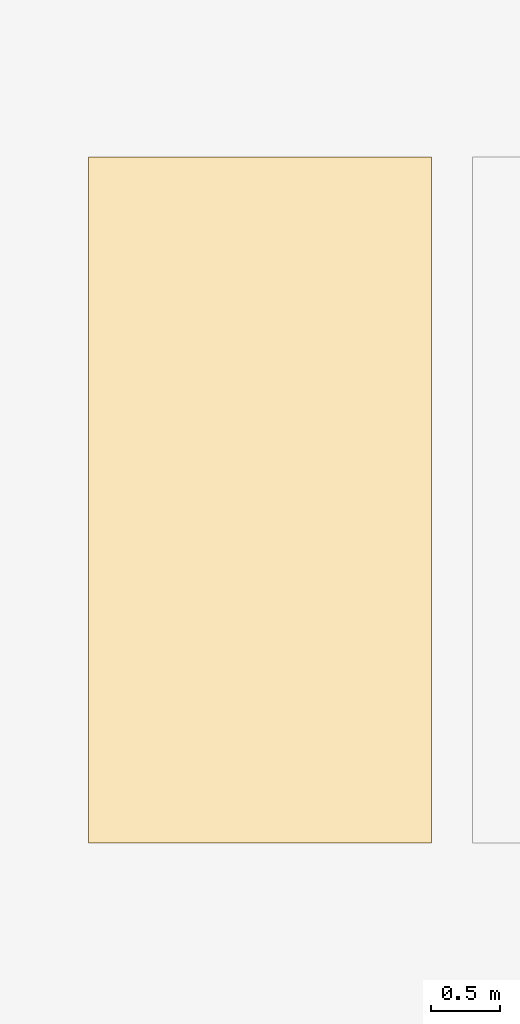
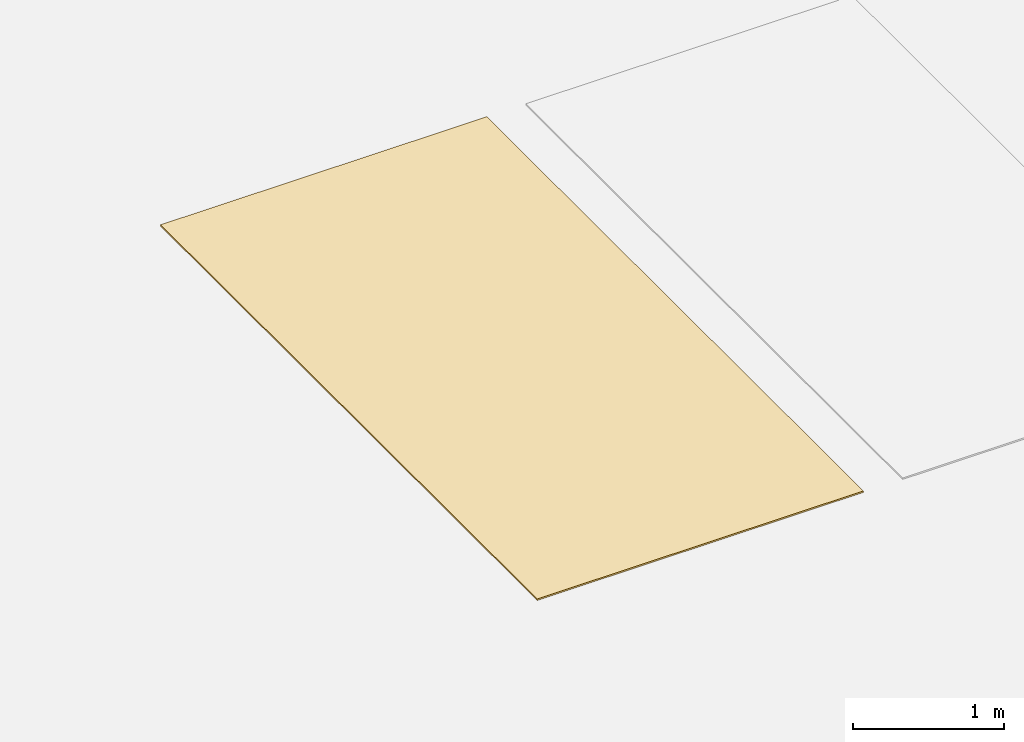
# One storey, part 23 of 39: 1 covering.
"""IFC4 building model written with IfcOpenShell, lengths in metres."""

import ifcopenshell
import ifcopenshell.guid

model = None  # the IFC model being written
_history = None  # IfcOwnerHistory: only IFC2X3 demands one
_inside = {}  # id of a spatial element -> (the spatial element, [elements in it])
_under = {}  # id of a project, library or spatial element -> (it, [spatial elements below it])
_declared = {}  # id of a project -> (the project, [libraries it declares])
_typed = {}  # id of a type object -> (the type object, [elements of that type])
_made_of = {}  # id of a material, layer set ... -> (it, [elements and type objects made of it])


def new_model(schema):
    """Start an empty IFC model of exactly this schema.

    Asked for "IFC4X3", IfcOpenShell would pick the latest addendum, in which some entities
    have other attributes; the version numbers below select the first issue.
    IFC2X3 requires an IfcOwnerHistory on every rooted entity: one is made here for all.
    """
    global model, _history
    if schema == "IFC4X3":
        model = ifcopenshell.file(schema_version=(4, 3, 0, 0))
    else:
        model = ifcopenshell.file(schema=schema)
    _inside.clear()
    _under.clear()
    _declared.clear()
    _typed.clear()
    _made_of.clear()
    _history = None
    if model.schema == "IFC2X3":
        org = make("IfcOrganization", Name="unknown")
        user = make(
            "IfcPersonAndOrganization",
            ThePerson=make("IfcPerson", FamilyName="unknown"),
            TheOrganization=org,
        )
        app = make(
            "IfcApplication",
            ApplicationDeveloper=org,
            Version="unknown",
            ApplicationFullName="unknown",
            ApplicationIdentifier="unknown",
        )
        _history = make(
            "IfcOwnerHistory",
            OwningUser=user,
            OwningApplication=app,
            ChangeAction="ADDED",
            CreationDate=0,
        )
    return model


def make(cls, **values):
    """One entity of the class cls with the attributes given. An attribute that is None is left unset."""
    return model.create_entity(
        cls, **{name: value for name, value in values.items() if value is not None}
    )


def rooted(cls, **values):
    """An entity with a GlobalId (a new one), such as an element, a storey or a relation."""
    return make(cls, GlobalId=ifcopenshell.guid.new(), OwnerHistory=_history, **values)


def si_unit(unit_type, name, prefix=None):
    """IfcSIUnit, for example si_unit("LENGTHUNIT", "METRE", prefix="MILLI")."""
    return make("IfcSIUnit", UnitType=unit_type, Prefix=prefix, Name=name)


def assignment(units):
    """IfcUnitAssignment: the units of a project."""
    return None if units is None else make("IfcUnitAssignment", Units=units)


def point(xyz):
    """IfcCartesianPoint."""
    return None if xyz is None else make("IfcCartesianPoint", Coordinates=xyz)


def direction(xyz):
    """IfcDirection."""
    return None if xyz is None else make("IfcDirection", DirectionRatios=xyz)


def frame(location, z_axis=None, x_axis=None):
    """IfcAxis2Placement3D, a coordinate frame: its origin and axes. An axis left out is left unset."""
    return make(
        "IfcAxis2Placement3D",
        Location=point(location),
        Axis=direction(z_axis),
        RefDirection=direction(x_axis),
    )


def origin():
    """The frame at (0, 0, 0) with its axes left unset."""
    return frame((0.0, 0.0, 0.0))


def place(relative_to, where):
    """IfcLocalPlacement: puts the frame where relative to a parent placement (None: the world)."""
    return make(
        "IfcLocalPlacement", PlacementRelTo=relative_to, RelativePlacement=where
    )


def context(
    kind, dimensions, precision=None, world=None, true_north=None, identifier=None
):
    """IfcGeometricRepresentationContext, for example the 3D "Model" context."""
    return make(
        "IfcGeometricRepresentationContext",
        ContextIdentifier=identifier,
        ContextType=kind,
        CoordinateSpaceDimension=dimensions,
        Precision=precision,
        WorldCoordinateSystem=world,
        TrueNorth=true_north,
    )


def subcontext(parent, identifier, kind, view, scale=None):
    """IfcGeometricRepresentationSubContext, for example "Body" below "Model"."""
    return make(
        "IfcGeometricRepresentationSubContext",
        ContextIdentifier=identifier,
        ContextType=kind,
        ParentContext=parent,
        TargetScale=scale,
        TargetView=view,
    )


def project(units=None, contexts=None):
    """IfcProject with its units and contexts."""
    return rooted(
        "IfcProject",
        Name="project",
        RepresentationContexts=contexts,
        UnitsInContext=assignment(units),
    )


def spatial(cls, under=None, at=None, **own):
    """A site, building, storey or space (cls), placed at a placement, below another one or the project."""
    s = rooted(cls, ObjectPlacement=at, **own)
    if under is not None:
        _under.setdefault(under.id(), (under, []))[1].append(s)
    return s


def polyline(points):
    """IfcPolyline through the points."""
    return make("IfcPolyline", Points=[point(p) for p in points])


def outline(outer, holes=None, kind="AREA"):
    """IfcArbitraryClosedProfileDef: a profile drawn as a closed curve; with holes, ...WithVoids."""
    if holes is None:
        return make("IfcArbitraryClosedProfileDef", ProfileType=kind, OuterCurve=outer)
    return make(
        "IfcArbitraryProfileDefWithVoids",
        ProfileType=kind,
        OuterCurve=outer,
        InnerCurves=holes,
    )


def extrude(swept, where, along, depth):
    """IfcExtrudedAreaSolid: the profile swept, set in the frame where, extruded along a direction by depth."""
    return make(
        "IfcExtrudedAreaSolid",
        SweptArea=swept,
        Position=where,
        ExtrudedDirection=direction(along),
        Depth=depth,
    )


def shape(context_of_items, identifier, shape_type, items):
    """IfcShapeRepresentation: the items that make up one representation, for example the "Body"."""
    return make(
        "IfcShapeRepresentation",
        ContextOfItems=context_of_items,
        RepresentationIdentifier=identifier,
        RepresentationType=shape_type,
        Items=items,
    )


def material(Name=None, Category=None):
    """IfcMaterial."""
    return make("IfcMaterial", Name=Name, Category=Category)


def layer(
    of_material, thickness, ventilated=None, Name=None, Category=None, Priority=None
):
    """IfcMaterialLayer: one layer of a wall or slab, of a material (None: an air gap)."""
    return make(
        "IfcMaterialLayer",
        Material=of_material,
        LayerThickness=thickness,
        IsVentilated=ventilated,
        Name=Name,
        Category=Category,
        Priority=Priority,
    )


def layer_set(layers, Name=None):
    """IfcMaterialLayerSet."""
    return make("IfcMaterialLayerSet", MaterialLayers=layers, LayerSetName=Name)


def made_of(thing, what):
    """Note that an element or type object is made of a material, layer set ...; save() writes the relation."""
    if what is not None:
        _made_of.setdefault(what.id(), (what, []))[1].append(thing)
    return thing


def type_object(cls, material=None, **own):
    """A type object (cls), such as IfcWallType, which elements share."""
    return made_of(rooted(cls, **own), material)


def element(
    cls,
    number,
    at=None,
    inside=None,
    cuts=None,
    type_object=None,
    material=None,
    context=None,
    identifier="Body",
    shape_type=None,
    held_by="IfcProductDefinitionShape",
    body=None,
    shapes=None,
    **own,
):
    """One element of the class cls, such as IfcWall. Its Tag is "e" and its number.

    at: its placement. inside: the storey or other place that contains it. cuts: it is an
    opening in that element (IfcRelVoidsElement). A single representation is given by context,
    identifier, shape_type and body (its items); several are given by shapes. held_by: the class
    of the entity that holds the representations. save() writes the other relations.
    """
    e = rooted(cls, Tag="e%d" % number, ObjectPlacement=at, **own)
    if body is not None:
        shapes = [shape(context, identifier, shape_type, body)]
    if shapes is not None:
        e.Representation = make(held_by, Representations=shapes)
    if inside is not None:
        _inside.setdefault(inside.id(), (inside, []))[1].append(e)
    if cuts is not None:
        rooted(
            "IfcRelVoidsElement", RelatingBuildingElement=cuts, RelatedOpeningElement=e
        )
    if type_object is not None:
        _typed.setdefault(type_object.id(), (type_object, []))[1].append(e)
    return made_of(e, material)


def aggregate(whole, parts):
    """IfcRelAggregates: a whole, such as a stair, and the parts it consists of."""
    return rooted("IfcRelAggregates", RelatingObject=whole, RelatedObjects=parts)


def save(model, path):
    """Write the relations noted so far, then the file.

    IfcRelAggregates (storeys below a building ...), IfcRelContainedInSpatialStructure (elements
    in a storey), IfcRelDefinesByType, IfcRelAssociatesMaterial and IfcRelDeclares: one each for
    every whole, place, type object, material and project.
    """
    for whole, parts in _under.values():
        aggregate(whole, parts)
    for where, things in _inside.values():
        rooted(
            "IfcRelContainedInSpatialStructure",
            RelatedElements=things,
            RelatingStructure=where,
        )
    for kind, things in _typed.values():
        rooted("IfcRelDefinesByType", RelatedObjects=things, RelatingType=kind)
    for what, things in _made_of.values():
        rooted("IfcRelAssociatesMaterial", RelatedObjects=things, RelatingMaterial=what)
    for by, libraries in _declared.values():
        rooted("IfcRelDeclares", RelatingContext=by, RelatedDefinitions=libraries)
    model.write(path)


model = new_model("IFC4")

# Units and contexts
model_context = context("Model", 3, precision=1e-05, world=origin(), true_north=direction((0.0, 1.0)))
body_context = subcontext(model_context, "Body", "Model", "MODEL_VIEW")
ifc_project = project(units=[si_unit("LENGTHUNIT", "METRE"), si_unit("AREAUNIT", "SQUARE_METRE"), si_unit("VOLUMEUNIT", "CUBIC_METRE"), si_unit("PLANEANGLEUNIT", "RADIAN"), si_unit("MASSUNIT", "GRAM", prefix="KILO")], contexts=[model_context])

# Site, building, storey
site_placement = place(None, origin())
site = spatial("IfcSite", under=ifc_project, at=site_placement, CompositionType="ELEMENT")
building_placement = place(site_placement, origin())
building = spatial("IfcBuilding", under=site, at=building_placement, Name="Nakhvara Creek Congress Hotel", CompositionType="ELEMENT")
storey_placement = place(building_placement, frame((0.0, 0.0, -4.199951171875)))
storey = spatial("IfcBuildingStorey", under=building, at=storey_placement, Name="B1", CompositionType="ELEMENT", Elevation=-4.199951171875)

# Covering
ifc_material = material(Name="Thermoplastic reflective parking bay marking")
ifc_layer = layer(ifc_material, 0.014892578125)
ifc_layer_set = layer_set([ifc_layer], Name="Thermoplastic reflective parking bay marking")
covering_type = type_object("IfcCoveringType", Name="COV-PARK-MRK", PredefinedType="USERDEFINED", material=ifc_layer_set)
covering_placement = place(storey_placement, frame((0.0, 0.0, 0.008056640625)))
element("IfcCovering", 1, at=covering_placement, inside=storey, type_object=covering_type, Name="Parking Bay Demarcation B1-013", ObjectType="ROAD_MARKING", PredefinedType="USERDEFINED", context=body_context, shape_type="SweptSolid", body=[
    extrude(outline(polyline([(88.14990234375, 13.39990234375), (90.64990234375, 13.39990234375), (90.64990234375, 18.39990234375), (88.14990234375, 18.39990234375), (88.14990234375, 13.39990234375)])), origin(), (0.0, 0.0, 1.0), 0.011962890625),
])

save(model, "model.ifc")
